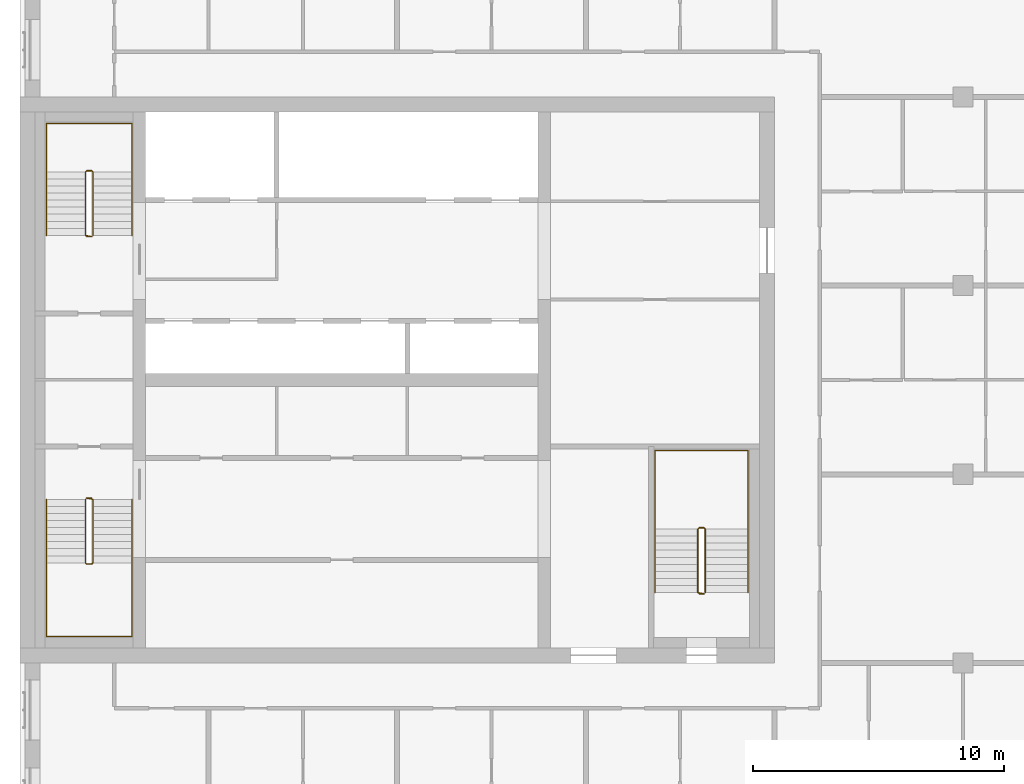
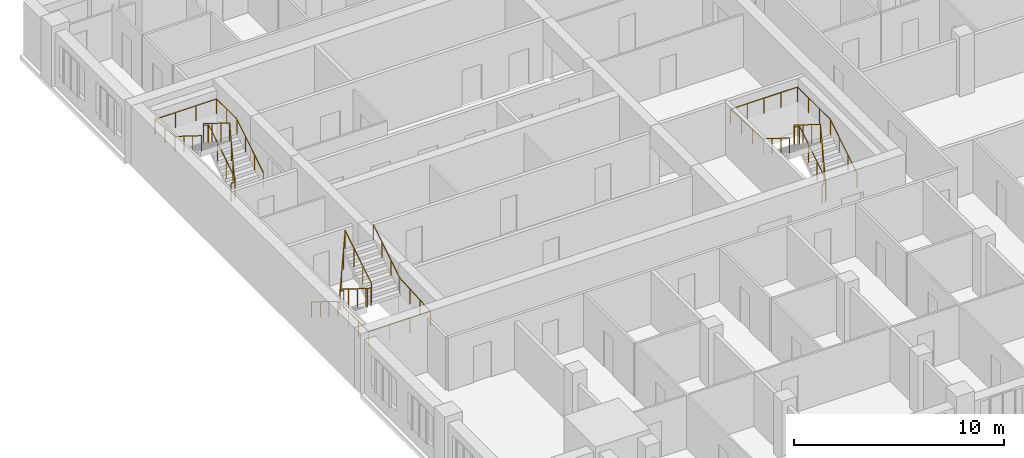
# One storey, part 11 of 11: 6 railings.
"""IFC4 building model written with IfcOpenShell, lengths in metres."""

from ifc_helpers import new_model, si_unit, direction, frame, origin, origin_2d, place, context, subcontext, project, spatial, circle, extrude, material, type_object, element, save


model = new_model("IFC4")

# Units and contexts
model_context = context("Model", 3, precision=1e-05, world=origin(), true_north=direction((0.0, 1.0)))
body_context = subcontext(model_context, "Body", "Model", "MODEL_VIEW")
ifc_project = project(units=[si_unit("LENGTHUNIT", "METRE"), si_unit("AREAUNIT", "SQUARE_METRE"), si_unit("VOLUMEUNIT", "CUBIC_METRE"), si_unit("PLANEANGLEUNIT", "RADIAN"), si_unit("MASSUNIT", "GRAM", prefix="KILO")], contexts=[model_context])

# Site, building, storey
site_placement = place(None, origin())
site = spatial("IfcSite", under=ifc_project, at=site_placement, CompositionType="ELEMENT")
building_placement = place(site_placement, origin())
building = spatial("IfcBuilding", under=site, at=building_placement, Name="Tamorin Gate", CompositionType="ELEMENT")
storey_placement = place(building_placement, frame((0.0, 0.0, 254.699951171875)))
storey = spatial("IfcBuildingStorey", under=building, at=storey_placement, Name="L64", CompositionType="ELEMENT", Elevation=254.699951171875)

# Railings
ifc_material_1 = material(Name="Painted steel balustrade", Category="steel")
railing_type_1 = type_object("IfcRailingType", Name="Stair guard 1100", PredefinedType="GUARDRAIL", material=ifc_material_1)
railing_1_placement = place(storey_placement, frame((32.60009765625, 66.5, 0.175048828125)))
element("IfcRailing", 1, at=railing_1_placement, inside=storey, type_object=railing_type_1, Name="L64 ST1 stair guard 1", PredefinedType="GUARDRAIL", context=body_context, shape_type="SweptSolid", body=[
    extrude(circle(Radius=0.02392578125, at=origin_2d()), frame((0.0, 0.0, 1.076171875), z_axis=(0.0, -0.848007534815, 0.529984170421), x_axis=(1.0, 0.0, 0.0)), (0.0, 0.0, 1.0), 2.9716796875),
    extrude(circle(Radius=0.02392578125, at=origin_2d()), frame((0.0, -2.52001953125, 2.65087890625), z_axis=(0.705375805398, -0.708833529934, 0.0), x_axis=(0.708833529934, 0.705375805398, 0.0)), (0.0, 0.0, 1.0), 0.070556640625),
    extrude(circle(Radius=0.02392578125, at=origin_2d()), frame((0.0498046875, -2.570068359375, 2.65087890625), z_axis=(1.0, 0.0, 0.0), x_axis=(0.0, 1.0, 0.0)), (0.0, 0.0, 1.0), 0.2001953125),
    extrude(circle(Radius=0.02392578125, at=origin_2d()), frame((0.25, -2.570068359375, 2.65087890625), z_axis=(0.263862480399, 0.265155923931, 0.927399011991), x_axis=(-0.708833529934, 0.705375805398, 0.0)), (0.0, 0.0, 1.0), 0.188720703125),
    extrude(circle(Radius=0.02392578125, at=origin_2d()), frame((0.2998046875, -2.52001953125, 2.826171875), z_axis=(0.0, 0.848007534815, 0.529984170421), x_axis=(-1.0, 0.0, 0.0)), (0.0, 0.0, 1.0), 2.9716796875),
    extrude(circle(Radius=0.02392578125, at=origin_2d()), frame((0.2998046875, 0.0, 4.40087890625), z_axis=(-0.071239803756, 0.014261874775, -0.997357252587), x_axis=(-0.196300278283, -0.98054382908, 0.0)), (0.0, 0.0, 1.0), 3.50927734375),
    extrude(circle(Radius=0.02392578125, at=origin_2d()), frame((0.0498046875, 0.050048828125, 0.90087890625), z_axis=(1.0, 0.0, 0.0), x_axis=(0.0, 1.0, 0.0)), (0.0, 0.0, 1.0), 0.2001953125),
    extrude(circle(Radius=0.02099609375, at=origin_2d()), origin(), (0.0, 0.0, 1.0), 1.052001953125),
    extrude(circle(Radius=0.02099609375, at=origin_2d()), frame((0.0, -0.840087890625, 0.52490234375)), (0.0, 0.0, 1.0), 1.052001953125),
    extrude(circle(Radius=0.02099609375, at=origin_2d()), frame((0.0, -1.679931640625, 1.050048828125)), (0.0, 0.0, 1.0), 1.052001953125),
    extrude(circle(Radius=0.02099609375, at=origin_2d()), frame((0.0, -2.52001953125, 1.574951171875)), (0.0, 0.0, 1.0), 1.052001953125),
    extrude(circle(Radius=0.02099609375, at=origin_2d()), frame((0.0498046875, -2.570068359375, 1.574951171875)), (0.0, 0.0, 1.0), 1.052001953125),
    extrude(circle(Radius=0.02099609375, at=origin_2d()), frame((0.25, -2.570068359375, 1.574951171875)), (0.0, 0.0, 1.0), 1.052001953125),
    extrude(circle(Radius=0.02099609375, at=origin_2d()), frame((0.2998046875, -2.52001953125, 1.75)), (0.0, 0.0, 1.0), 1.052001953125),
    extrude(circle(Radius=0.02099609375, at=origin_2d()), frame((0.2998046875, -1.679931640625, 2.27490234375)), (0.0, 0.0, 1.0), 1.052001953125),
    extrude(circle(Radius=0.02099609375, at=origin_2d()), frame((0.2998046875, -0.840087890625, 2.800048828125)), (0.0, 0.0, 1.0), 1.052001953125),
    extrude(circle(Radius=0.02099609375, at=origin_2d()), frame((0.2998046875, 0.0, 3.324951171875)), (0.0, 0.0, 1.0), 1.052001953125),
    extrude(circle(Radius=0.02099609375, at=origin_2d()), frame((0.216552734375, 0.0166015625, 2.158203125)), (0.0, 0.0, 1.0), 1.052001953125),
    extrude(circle(Radius=0.02099609375, at=origin_2d()), frame((0.133056640625, 0.033447265625, 0.99169921875)), (0.0, 0.0, 1.0), 1.052001953125),
    extrude(circle(Radius=0.02099609375, at=origin_2d()), frame((0.0498046875, 0.050048828125, -0.175048828125)), (0.0, 0.0, 1.0), 1.052001953125),
    extrude(circle(Radius=0.02099609375, at=origin_2d()), frame((0.25, 0.050048828125, -0.175048828125)), (0.0, 0.0, 1.0), 1.052001953125),
])
railing_2_placement = place(storey_placement, frame((32.89990234375, 77.0, 0.175048828125)))
element("IfcRailing", 2, at=railing_2_placement, inside=storey, type_object=railing_type_1, Name="L64 ST2 stair guard 1", PredefinedType="GUARDRAIL", context=body_context, shape_type="SweptSolid", body=[
    extrude(circle(Radius=0.02392578125, at=origin_2d()), frame((0.0, 0.0, 1.076171875), z_axis=(0.0, 0.848007534815, 0.529984170421), x_axis=(-1.0, 0.0, 0.0)), (0.0, 0.0, 1.0), 2.9716796875),
    extrude(circle(Radius=0.02392578125, at=origin_2d()), frame((0.0, 2.52001953125, 2.65087890625), z_axis=(-0.705375805398, 0.708833529934, 0.0), x_axis=(-0.708833529934, -0.705375805398, 0.0)), (0.0, 0.0, 1.0), 0.070556640625),
    extrude(circle(Radius=0.02392578125, at=origin_2d()), frame((-0.0498046875, 2.570068359375, 2.65087890625), z_axis=(-1.0, 0.0, 0.0), x_axis=(0.0, -1.0, 0.0)), (0.0, 0.0, 1.0), 0.2001953125),
    extrude(circle(Radius=0.02392578125, at=origin_2d()), frame((-0.25, 2.570068359375, 2.65087890625), z_axis=(-0.263862480399, -0.265155923931, 0.927399011991), x_axis=(0.708833529934, -0.705375805398, 0.0)), (0.0, 0.0, 1.0), 0.188720703125),
    extrude(circle(Radius=0.02392578125, at=origin_2d()), frame((-0.2998046875, 2.52001953125, 2.826171875), z_axis=(0.0, -0.848007534815, 0.529984170421), x_axis=(1.0, 0.0, 0.0)), (0.0, 0.0, 1.0), 2.9716796875),
    extrude(circle(Radius=0.02392578125, at=origin_2d()), frame((-0.2998046875, 0.0, 4.40087890625), z_axis=(0.071239803756, -0.014261874775, -0.997357252587), x_axis=(0.196300278283, 0.98054382908, 0.0)), (0.0, 0.0, 1.0), 3.50927734375),
    extrude(circle(Radius=0.02392578125, at=origin_2d()), frame((-0.0498046875, -0.050048828125, 0.90087890625), z_axis=(-1.0, 0.0, 0.0), x_axis=(0.0, -1.0, 0.0)), (0.0, 0.0, 1.0), 0.2001953125),
    extrude(circle(Radius=0.02099609375, at=origin_2d()), origin(), (0.0, 0.0, 1.0), 1.052001953125),
    extrude(circle(Radius=0.02099609375, at=origin_2d()), frame((0.0, 0.840087890625, 0.52490234375)), (0.0, 0.0, 1.0), 1.052001953125),
    extrude(circle(Radius=0.02099609375, at=origin_2d()), frame((0.0, 1.679931640625, 1.050048828125)), (0.0, 0.0, 1.0), 1.052001953125),
    extrude(circle(Radius=0.02099609375, at=origin_2d()), frame((0.0, 2.52001953125, 1.574951171875)), (0.0, 0.0, 1.0), 1.052001953125),
    extrude(circle(Radius=0.02099609375, at=origin_2d()), frame((-0.0498046875, 2.570068359375, 1.574951171875)), (0.0, 0.0, 1.0), 1.052001953125),
    extrude(circle(Radius=0.02099609375, at=origin_2d()), frame((-0.25, 2.570068359375, 1.574951171875)), (0.0, 0.0, 1.0), 1.052001953125),
    extrude(circle(Radius=0.02099609375, at=origin_2d()), frame((-0.2998046875, 2.52001953125, 1.75)), (0.0, 0.0, 1.0), 1.052001953125),
    extrude(circle(Radius=0.02099609375, at=origin_2d()), frame((-0.2998046875, 1.679931640625, 2.27490234375)), (0.0, 0.0, 1.0), 1.052001953125),
    extrude(circle(Radius=0.02099609375, at=origin_2d()), frame((-0.2998046875, 0.840087890625, 2.800048828125)), (0.0, 0.0, 1.0), 1.052001953125),
    extrude(circle(Radius=0.02099609375, at=origin_2d()), frame((-0.2998046875, 0.0, 3.324951171875)), (0.0, 0.0, 1.0), 1.052001953125),
    extrude(circle(Radius=0.02099609375, at=origin_2d()), frame((-0.216552734375, -0.0166015625, 2.158203125)), (0.0, 0.0, 1.0), 1.052001953125),
    extrude(circle(Radius=0.02099609375, at=origin_2d()), frame((-0.133056640625, -0.033447265625, 0.99169921875)), (0.0, 0.0, 1.0), 1.052001953125),
    extrude(circle(Radius=0.02099609375, at=origin_2d()), frame((-0.0498046875, -0.050048828125, -0.175048828125)), (0.0, 0.0, 1.0), 1.052001953125),
    extrude(circle(Radius=0.02099609375, at=origin_2d()), frame((-0.25, -0.050048828125, -0.175048828125)), (0.0, 0.0, 1.0), 1.052001953125),
])
railing_3_placement = place(storey_placement, frame((57.25, 62.800048828125, 0.175048828125)))
element("IfcRailing", 3, at=railing_3_placement, inside=storey, type_object=railing_type_1, Name="L64 ST3 stair guard 1", PredefinedType="GUARDRAIL", context=body_context, shape_type="SweptSolid", body=[
    extrude(circle(Radius=0.02392578125, at=origin_2d()), frame((0.0, 0.0, 1.076171875), z_axis=(0.0, 0.848007534815, 0.529984170421), x_axis=(-1.0, 0.0, 0.0)), (0.0, 0.0, 1.0), 2.9716796875),
    extrude(circle(Radius=0.02392578125, at=origin_2d()), frame((0.0, 2.52001953125, 2.65087890625), z_axis=(-0.707106781187, 0.707106781187, 0.0), x_axis=(-0.707106781187, -0.707106781187, 0.0)), (0.0, 0.0, 1.0), 0.07080078125),
    extrude(circle(Radius=0.02392578125, at=origin_2d()), frame((-0.050048828125, 2.570068359375, 2.65087890625), z_axis=(-1.0, 0.0, 0.0), x_axis=(0.0, -1.0, 0.0)), (0.0, 0.0, 1.0), 0.199951171875),
    extrude(circle(Radius=0.02392578125, at=origin_2d()), frame((-0.25, 2.570068359375, 2.65087890625), z_axis=(-0.265065253269, -0.265065253269, 0.927081885822), x_axis=(0.707106781187, -0.707106781187, 0.0)), (0.0, 0.0, 1.0), 0.188720703125),
    extrude(circle(Radius=0.02392578125, at=origin_2d()), frame((-0.300048828125, 2.52001953125, 2.826171875), z_axis=(0.0, -0.848007534815, 0.529984170421), x_axis=(1.0, 0.0, 0.0)), (0.0, 0.0, 1.0), 2.9716796875),
    extrude(circle(Radius=0.02392578125, at=origin_2d()), frame((-0.300048828125, 0.0, 4.40087890625), z_axis=(0.071239803756, -0.014261874775, -0.997357252587), x_axis=(0.196300278283, 0.98054382908, 0.0)), (0.0, 0.0, 1.0), 3.50927734375),
    extrude(circle(Radius=0.02392578125, at=origin_2d()), frame((-0.050048828125, -0.050048828125, 0.90087890625), z_axis=(-1.0, 0.0, 0.0), x_axis=(0.0, -1.0, 0.0)), (0.0, 0.0, 1.0), 0.199951171875),
    extrude(circle(Radius=0.02099609375, at=origin_2d()), origin(), (0.0, 0.0, 1.0), 1.052001953125),
    extrude(circle(Radius=0.02099609375, at=origin_2d()), frame((0.0, 0.840087890625, 0.52490234375)), (0.0, 0.0, 1.0), 1.052001953125),
    extrude(circle(Radius=0.02099609375, at=origin_2d()), frame((0.0, 1.679931640625, 1.050048828125)), (0.0, 0.0, 1.0), 1.052001953125),
    extrude(circle(Radius=0.02099609375, at=origin_2d()), frame((0.0, 2.52001953125, 1.574951171875)), (0.0, 0.0, 1.0), 1.052001953125),
    extrude(circle(Radius=0.02099609375, at=origin_2d()), frame((-0.050048828125, 2.570068359375, 1.574951171875)), (0.0, 0.0, 1.0), 1.052001953125),
    extrude(circle(Radius=0.02099609375, at=origin_2d()), frame((-0.25, 2.570068359375, 1.574951171875)), (0.0, 0.0, 1.0), 1.052001953125),
    extrude(circle(Radius=0.02099609375, at=origin_2d()), frame((-0.300048828125, 2.52001953125, 1.75)), (0.0, 0.0, 1.0), 1.052001953125),
    extrude(circle(Radius=0.02099609375, at=origin_2d()), frame((-0.300048828125, 1.679931640625, 2.27490234375)), (0.0, 0.0, 1.0), 1.052001953125),
    extrude(circle(Radius=0.02099609375, at=origin_2d()), frame((-0.300048828125, 0.840087890625, 2.800048828125)), (0.0, 0.0, 1.0), 1.052001953125),
    extrude(circle(Radius=0.02099609375, at=origin_2d()), frame((-0.300048828125, 0.0, 3.324951171875)), (0.0, 0.0, 1.0), 1.052001953125),
    extrude(circle(Radius=0.02099609375, at=origin_2d()), frame((-0.216796875, -0.0166015625, 2.158203125)), (0.0, 0.0, 1.0), 1.052001953125),
    extrude(circle(Radius=0.02099609375, at=origin_2d()), frame((-0.13330078125, -0.033447265625, 0.99169921875)), (0.0, 0.0, 1.0), 1.052001953125),
    extrude(circle(Radius=0.02099609375, at=origin_2d()), frame((-0.050048828125, -0.050048828125, -0.175048828125)), (0.0, 0.0, 1.0), 1.052001953125),
    extrude(circle(Radius=0.02099609375, at=origin_2d()), frame((-0.25, -0.050048828125, -0.175048828125)), (0.0, 0.0, 1.0), 1.052001953125),
])
ifc_material_2 = material(Name="Painted steel handrail", Category="steel")
railing_type_2 = type_object("IfcRailingType", Name="Stair handrail 900", PredefinedType="HANDRAIL", material=ifc_material_2)
railing_4_placement = place(storey_placement, frame((31.050048828125, 66.5, 0.175048828125)))
element("IfcRailing", 4, at=railing_4_placement, inside=storey, type_object=railing_type_2, Name="L64 ST1 stair handrail 1", PredefinedType="HANDRAIL", context=body_context, shape_type="SweptSolid", body=[
    extrude(circle(Radius=0.02392578125, at=origin_2d()), frame((0.0, 0.0, 0.8759765625), z_axis=(0.0, -0.848007534815, 0.529984170421), x_axis=(1.0, 0.0, 0.0)), (0.0, 0.0, 1.0), 2.9716796875),
    extrude(circle(Radius=0.02392578125, at=origin_2d()), frame((0.0, -2.52001953125, 2.45068359375), z_axis=(0.0, -1.0, 0.0), x_axis=(1.0, 0.0, 0.0)), (0.0, 0.0, 1.0), 2.929931640625),
    extrude(circle(Radius=0.02392578125, at=origin_2d()), frame((0.0, -5.449951171875, 2.45068359375), z_axis=(1.0, 0.0, 0.0), x_axis=(0.0, 1.0, 0.0)), (0.0, 0.0, 1.0), 3.39990234375),
    extrude(circle(Radius=0.02392578125, at=origin_2d()), frame((3.39990234375, -5.449951171875, 2.45068359375), z_axis=(0.0, 0.998220029962, 0.0596386769), x_axis=(-1.0, 0.0, 0.0)), (0.0, 0.0, 1.0), 2.93505859375),
    extrude(circle(Radius=0.02392578125, at=origin_2d()), frame((3.39990234375, -2.52001953125, 2.6259765625), z_axis=(0.0, 0.848007534815, 0.529984170421), x_axis=(-1.0, 0.0, 0.0)), (0.0, 0.0, 1.0), 2.9716796875),
    extrude(circle(Radius=0.02099609375, at=origin_2d()), origin(), (0.0, 0.0, 1.0), 0.851806640625),
    extrude(circle(Radius=0.02099609375, at=origin_2d()), frame((0.0, -0.840087890625, 0.52490234375)), (0.0, 0.0, 1.0), 0.851806640625),
    extrude(circle(Radius=0.02099609375, at=origin_2d()), frame((0.0, -1.679931640625, 1.050048828125)), (0.0, 0.0, 1.0), 0.851806640625),
    extrude(circle(Radius=0.02099609375, at=origin_2d()), frame((0.0, -2.52001953125, 1.574951171875)), (0.0, 0.0, 1.0), 0.851806640625),
    extrude(circle(Radius=0.02099609375, at=origin_2d()), frame((0.0, -3.49658203125, 1.574951171875)), (0.0, 0.0, 1.0), 0.851806640625),
    extrude(circle(Radius=0.02099609375, at=origin_2d()), frame((0.0, -4.473388671875, 1.574951171875)), (0.0, 0.0, 1.0), 0.851806640625),
    extrude(circle(Radius=0.02099609375, at=origin_2d()), frame((0.0, -5.449951171875, 1.574951171875)), (0.0, 0.0, 1.0), 0.851806640625),
    extrude(circle(Radius=0.02099609375, at=origin_2d()), frame((1.13330078125, -5.449951171875, 1.574951171875)), (0.0, 0.0, 1.0), 0.851806640625),
    extrude(circle(Radius=0.02099609375, at=origin_2d()), frame((2.2666015625, -5.449951171875, 1.574951171875)), (0.0, 0.0, 1.0), 0.851806640625),
    extrude(circle(Radius=0.02099609375, at=origin_2d()), frame((3.39990234375, -5.449951171875, 1.574951171875)), (0.0, 0.0, 1.0), 0.851806640625),
    extrude(circle(Radius=0.02099609375, at=origin_2d()), frame((3.39990234375, -4.473388671875, 1.63330078125)), (0.0, 0.0, 1.0), 0.851806640625),
    extrude(circle(Radius=0.02099609375, at=origin_2d()), frame((3.39990234375, -3.49658203125, 1.691650390625)), (0.0, 0.0, 1.0), 0.851806640625),
    extrude(circle(Radius=0.02099609375, at=origin_2d()), frame((3.39990234375, -2.52001953125, 1.75)), (0.0, 0.0, 1.0), 0.851806640625),
    extrude(circle(Radius=0.02099609375, at=origin_2d()), frame((3.39990234375, -1.679931640625, 2.27490234375)), (0.0, 0.0, 1.0), 0.851806640625),
    extrude(circle(Radius=0.02099609375, at=origin_2d()), frame((3.39990234375, -0.840087890625, 2.800048828125)), (0.0, 0.0, 1.0), 0.851806640625),
    extrude(circle(Radius=0.02099609375, at=origin_2d()), frame((3.39990234375, 0.0, 3.324951171875)), (0.0, 0.0, 1.0), 0.851806640625),
])
railing_5_placement = place(storey_placement, frame((34.449951171875, 77.0, 0.175048828125)))
element("IfcRailing", 5, at=railing_5_placement, inside=storey, type_object=railing_type_2, Name="L64 ST2 stair handrail 1", PredefinedType="HANDRAIL", context=body_context, shape_type="SweptSolid", body=[
    extrude(circle(Radius=0.02392578125, at=origin_2d()), frame((0.0, 0.0, 0.8759765625), z_axis=(0.0, 0.848007534815, 0.529984170421), x_axis=(-1.0, 0.0, 0.0)), (0.0, 0.0, 1.0), 2.9716796875),
    extrude(circle(Radius=0.02392578125, at=origin_2d()), frame((0.0, 2.52001953125, 2.45068359375), z_axis=(0.0, 1.0, 0.0), x_axis=(-1.0, 0.0, 0.0)), (0.0, 0.0, 1.0), 1.929931640625),
    extrude(circle(Radius=0.02392578125, at=origin_2d()), frame((0.0, 4.449951171875, 2.45068359375), z_axis=(-1.0, 0.0, 0.0), x_axis=(0.0, -1.0, 0.0)), (0.0, 0.0, 1.0), 3.39990234375),
    extrude(circle(Radius=0.02392578125, at=origin_2d()), frame((-3.39990234375, 4.449951171875, 2.45068359375), z_axis=(0.0, -0.995911773435, 0.090331276604), x_axis=(1.0, 0.0, 0.0)), (0.0, 0.0, 1.0), 1.937744140625),
    extrude(circle(Radius=0.02392578125, at=origin_2d()), frame((-3.39990234375, 2.52001953125, 2.6259765625), z_axis=(0.0, -0.848007534815, 0.529984170421), x_axis=(1.0, 0.0, 0.0)), (0.0, 0.0, 1.0), 2.9716796875),
    extrude(circle(Radius=0.02099609375, at=origin_2d()), origin(), (0.0, 0.0, 1.0), 0.851806640625),
    extrude(circle(Radius=0.02099609375, at=origin_2d()), frame((0.0, 0.840087890625, 0.52490234375)), (0.0, 0.0, 1.0), 0.851806640625),
    extrude(circle(Radius=0.02099609375, at=origin_2d()), frame((0.0, 1.679931640625, 1.050048828125)), (0.0, 0.0, 1.0), 0.851806640625),
    extrude(circle(Radius=0.02099609375, at=origin_2d()), frame((0.0, 2.52001953125, 1.574951171875)), (0.0, 0.0, 1.0), 0.851806640625),
    extrude(circle(Radius=0.02099609375, at=origin_2d()), frame((0.0, 3.48486328125, 1.574951171875)), (0.0, 0.0, 1.0), 0.851806640625),
    extrude(circle(Radius=0.02099609375, at=origin_2d()), frame((0.0, 4.449951171875, 1.574951171875)), (0.0, 0.0, 1.0), 0.851806640625),
    extrude(circle(Radius=0.02099609375, at=origin_2d()), frame((-1.13330078125, 4.449951171875, 1.574951171875)), (0.0, 0.0, 1.0), 0.851806640625),
    extrude(circle(Radius=0.02099609375, at=origin_2d()), frame((-2.2666015625, 4.449951171875, 1.574951171875)), (0.0, 0.0, 1.0), 0.851806640625),
    extrude(circle(Radius=0.02099609375, at=origin_2d()), frame((-3.39990234375, 4.449951171875, 1.574951171875)), (0.0, 0.0, 1.0), 0.851806640625),
    extrude(circle(Radius=0.02099609375, at=origin_2d()), frame((-3.39990234375, 3.48486328125, 1.66259765625)), (0.0, 0.0, 1.0), 0.851806640625),
    extrude(circle(Radius=0.02099609375, at=origin_2d()), frame((-3.39990234375, 2.52001953125, 1.75)), (0.0, 0.0, 1.0), 0.851806640625),
    extrude(circle(Radius=0.02099609375, at=origin_2d()), frame((-3.39990234375, 1.679931640625, 2.27490234375)), (0.0, 0.0, 1.0), 0.851806640625),
    extrude(circle(Radius=0.02099609375, at=origin_2d()), frame((-3.39990234375, 0.840087890625, 2.800048828125)), (0.0, 0.0, 1.0), 0.851806640625),
    extrude(circle(Radius=0.02099609375, at=origin_2d()), frame((-3.39990234375, 0.0, 3.324951171875)), (0.0, 0.0, 1.0), 0.851806640625),
])
railing_6_placement = place(storey_placement, frame((58.949951171875, 62.800048828125, 0.175048828125)))
element("IfcRailing", 6, at=railing_6_placement, inside=storey, type_object=railing_type_2, Name="L64 ST3 stair handrail 1", PredefinedType="HANDRAIL", context=body_context, shape_type="SweptSolid", body=[
    extrude(circle(Radius=0.02392578125, at=origin_2d()), frame((0.0, 0.0, 0.8759765625), z_axis=(0.0, 0.848007534815, 0.529984170421), x_axis=(-1.0, 0.0, 0.0)), (0.0, 0.0, 1.0), 2.9716796875),
    extrude(circle(Radius=0.02392578125, at=origin_2d()), frame((0.0, 2.52001953125, 2.45068359375), z_axis=(0.0, 1.0, 0.0), x_axis=(-1.0, 0.0, 0.0)), (0.0, 0.0, 1.0), 3.1298828125),
    extrude(circle(Radius=0.02392578125, at=origin_2d()), frame((0.0, 5.64990234375, 2.45068359375), z_axis=(-1.0, 0.0, 0.0), x_axis=(0.0, -1.0, 0.0)), (0.0, 0.0, 1.0), 3.699951171875),
    extrude(circle(Radius=0.02392578125, at=origin_2d()), frame((-3.699951171875, 5.64990234375, 2.45068359375), z_axis=(0.0, -0.998439675676, 0.055840970941), x_axis=(1.0, 0.0, 0.0)), (0.0, 0.0, 1.0), 3.134765625),
    extrude(circle(Radius=0.02392578125, at=origin_2d()), frame((-3.699951171875, 2.52001953125, 2.6259765625), z_axis=(0.0, -0.848007534815, 0.529984170421), x_axis=(1.0, 0.0, 0.0)), (0.0, 0.0, 1.0), 2.9716796875),
    extrude(circle(Radius=0.02099609375, at=origin_2d()), origin(), (0.0, 0.0, 1.0), 0.851806640625),
    extrude(circle(Radius=0.02099609375, at=origin_2d()), frame((0.0, 0.840087890625, 0.52490234375)), (0.0, 0.0, 1.0), 0.851806640625),
    extrude(circle(Radius=0.02099609375, at=origin_2d()), frame((0.0, 1.679931640625, 1.050048828125)), (0.0, 0.0, 1.0), 0.851806640625),
    extrude(circle(Radius=0.02099609375, at=origin_2d()), frame((0.0, 2.52001953125, 1.574951171875)), (0.0, 0.0, 1.0), 0.851806640625),
    extrude(circle(Radius=0.02099609375, at=origin_2d()), frame((0.0, 3.563232421875, 1.574951171875)), (0.0, 0.0, 1.0), 0.851806640625),
    extrude(circle(Radius=0.02099609375, at=origin_2d()), frame((0.0, 4.606689453125, 1.574951171875)), (0.0, 0.0, 1.0), 0.851806640625),
    extrude(circle(Radius=0.02099609375, at=origin_2d()), frame((0.0, 5.64990234375, 1.574951171875)), (0.0, 0.0, 1.0), 0.851806640625),
    extrude(circle(Radius=0.02099609375, at=origin_2d()), frame((-0.925048828125, 5.64990234375, 1.574951171875)), (0.0, 0.0, 1.0), 0.851806640625),
    extrude(circle(Radius=0.02099609375, at=origin_2d()), frame((-1.85009765625, 5.64990234375, 1.574951171875)), (0.0, 0.0, 1.0), 0.851806640625),
    extrude(circle(Radius=0.02099609375, at=origin_2d()), frame((-2.77490234375, 5.64990234375, 1.574951171875)), (0.0, 0.0, 1.0), 0.851806640625),
    extrude(circle(Radius=0.02099609375, at=origin_2d()), frame((-3.699951171875, 5.64990234375, 1.574951171875)), (0.0, 0.0, 1.0), 0.851806640625),
    extrude(circle(Radius=0.02099609375, at=origin_2d()), frame((-3.699951171875, 4.606689453125, 1.63330078125)), (0.0, 0.0, 1.0), 0.851806640625),
    extrude(circle(Radius=0.02099609375, at=origin_2d()), frame((-3.699951171875, 3.563232421875, 1.691650390625)), (0.0, 0.0, 1.0), 0.851806640625),
    extrude(circle(Radius=0.02099609375, at=origin_2d()), frame((-3.699951171875, 2.52001953125, 1.75)), (0.0, 0.0, 1.0), 0.851806640625),
    extrude(circle(Radius=0.02099609375, at=origin_2d()), frame((-3.699951171875, 1.679931640625, 2.27490234375)), (0.0, 0.0, 1.0), 0.851806640625),
    extrude(circle(Radius=0.02099609375, at=origin_2d()), frame((-3.699951171875, 0.840087890625, 2.800048828125)), (0.0, 0.0, 1.0), 0.851806640625),
    extrude(circle(Radius=0.02099609375, at=origin_2d()), frame((-3.699951171875, 0.0, 3.324951171875)), (0.0, 0.0, 1.0), 0.851806640625),
])

save(model, "model.ifc")
